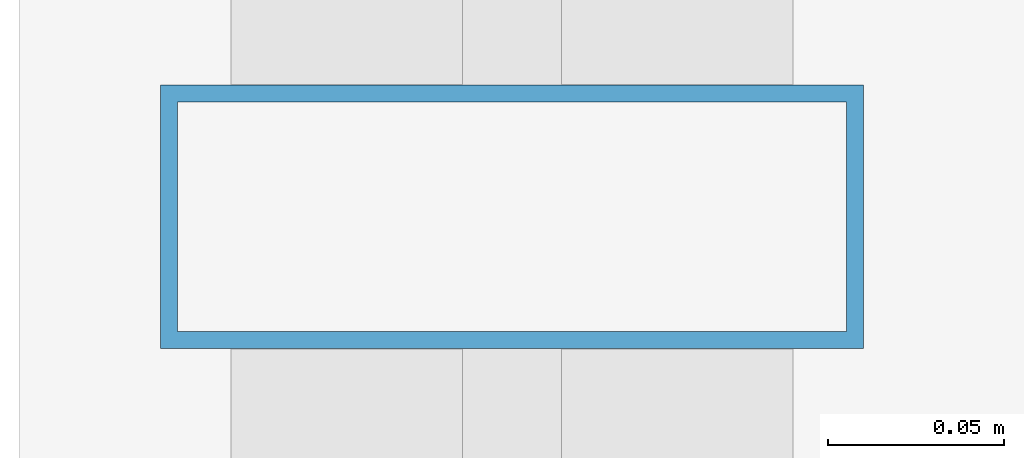
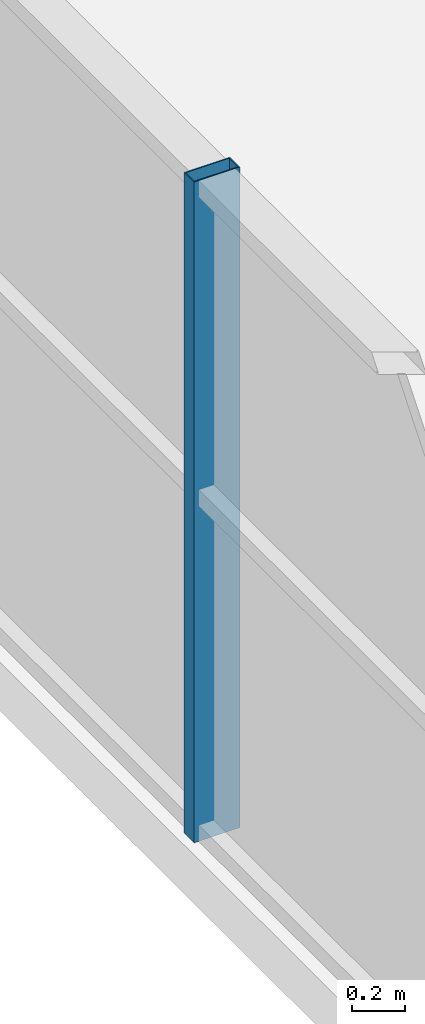
# One storey, part 8 of 30: 1 member, 1 element without a shape of its own.
"""IFC4 building model written with IfcOpenShell, lengths in metres."""

from ifc_helpers import new_model, si_unit, direction, frame, origin, origin_2d, place, context, subcontext, project, spatial, hollow_rectangle, extrude, source, transform, mapped, material, layer, layer_set, material_profile, profile_set, type_object, element, aggregate, save


model = new_model("IFC4")

# Units and contexts
model_context = context("Model", 3, precision=1e-05, world=origin(), true_north=direction((0.0, 1.0)))
body_context = subcontext(model_context, "Body", "Model", "MODEL_VIEW")
ifc_project = project(units=[si_unit("LENGTHUNIT", "METRE"), si_unit("AREAUNIT", "SQUARE_METRE"), si_unit("VOLUMEUNIT", "CUBIC_METRE"), si_unit("PLANEANGLEUNIT", "RADIAN"), si_unit("MASSUNIT", "GRAM", prefix="KILO")], contexts=[model_context])

# Site, building, storey
site_placement = place(None, origin())
site = spatial("IfcSite", under=ifc_project, at=site_placement, CompositionType="ELEMENT")
building_placement = place(site_placement, origin())
building = spatial("IfcBuilding", under=site, at=building_placement, Name="Zarnakvel Exchange Tower", CompositionType="ELEMENT")
storey_placement = place(building_placement, frame((0.0, 0.0, 50.5)))
storey = spatial("IfcBuildingStorey", under=building, at=storey_placement, Name="L13", CompositionType="ELEMENT", Elevation=50.5)

# Curtain wall, member
ifc_material = material(Name="Architectural Bronze Anodised Aluminium", Category="aluminium")
ifc_layer = layer(ifc_material, 0.199951171875)
ifc_layer_set = layer_set([ifc_layer], Name="Architectural Bronze Anodised Aluminium")
curtain_wall_type = type_object("IfcCurtainWallType", Name="CW-04", PredefinedType="NOTDEFINED", material=ifc_layer_set)
curtain_wall_placement = place(storey_placement, origin())
curtain_wall = element("IfcCurtainWall", 1, at=curtain_wall_placement, inside=storey, type_object=curtain_wall_type, Name="L13 Curtain Wall CW-L13-W1 (CW-04)", PredefinedType="NOTDEFINED")
ifc_material_profile = material_profile(ifc_material, hollow_rectangle(XDim=0.199951171875, YDim=0.074951171875, WallThickness=0.0048828125, at=origin_2d()))
ifc_profile_set = profile_set([ifc_material_profile], Name="Architectural Bronze Anodised Aluminium")
member_type = type_object("IfcMemberType", Name="CWM-04", PredefinedType="MULLION", material=ifc_profile_set)
shared_shape = source(origin(), body_context, "Body", "SweptSolid", [
    extrude(hollow_rectangle(XDim=0.199951171875, YDim=0.074951171875, WallThickness=0.0048828125, at=origin_2d()), origin(), (0.0, 0.0, 1.0), 3.054931640625),
])
member_placement = place(storey_placement, frame((-32.4599609375, 0.0, 0.0), z_axis=(0.0, 0.0, 1.0), x_axis=(-1.0, 0.0, 0.0)))
member = element("IfcMember", 2, at=member_placement, type_object=member_type, Name="CW-04 mullion 3", PredefinedType="MULLION", context=body_context, shape_type="MappedRepresentation", body=[
    mapped(shared_shape, transform((0.0, 0.0, 0.0), x_axis=(1.0, 0.0, 0.0), y_axis=(0.0, 1.0, 0.0), z_axis=(0.0, 0.0, 1.0), scale=1.0)),
])
aggregate(curtain_wall, [member])

save(model, "model.ifc")
